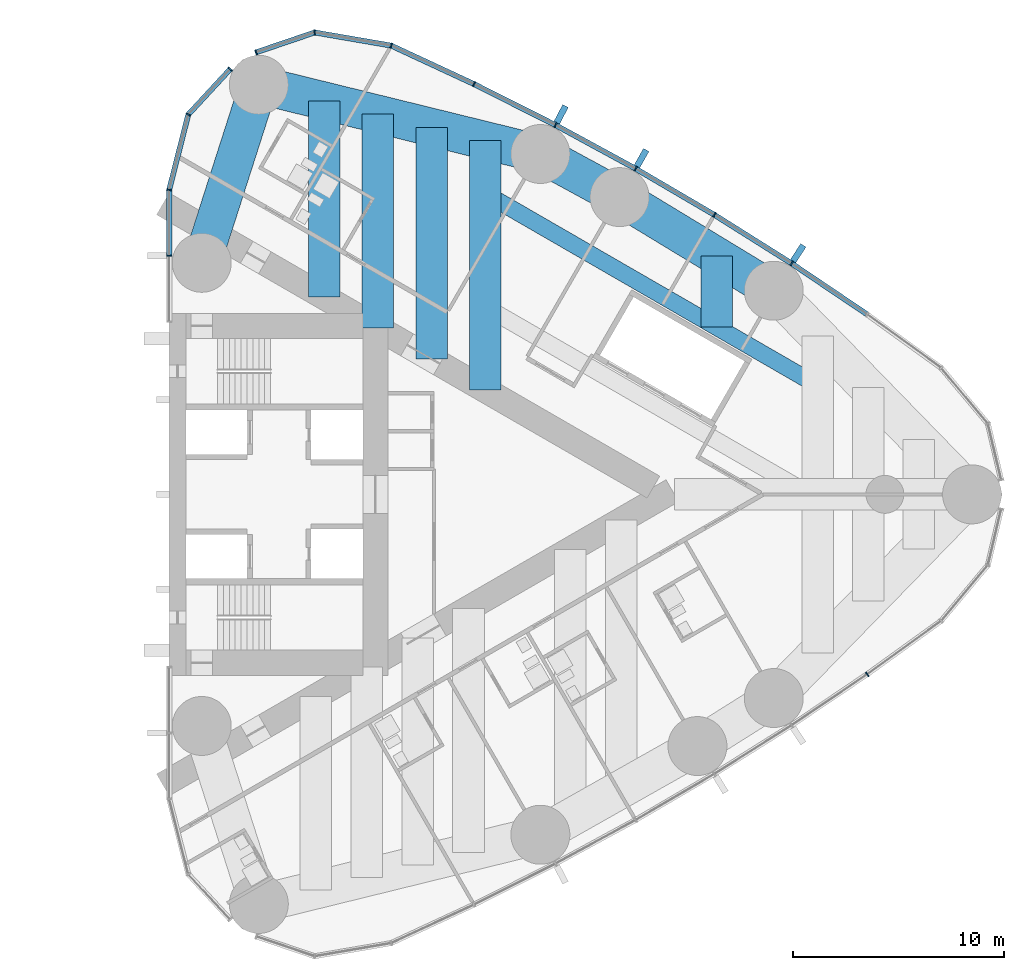
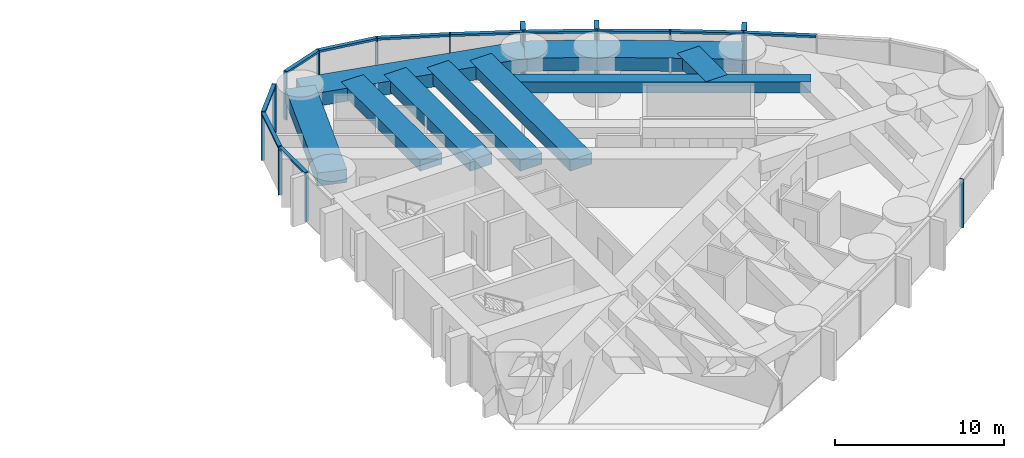
# One storey, part 8 of 19: 27 members, 10 beams, 3 elements without a shape of their own.
"""IFC4 building model written with IfcOpenShell, lengths in metres."""

from ifc_helpers import new_model, si_unit, direction, frame, origin, origin_2d, place, context, subcontext, project, spatial, rectangle, hollow_rectangle, extrude, material, material_profile, profile_set, type_object, element, aggregate, save


model = new_model("IFC4")

# Units and contexts
model_context = context("Model", 3, precision=1e-05, world=origin(), true_north=direction((0.0, 1.0)))
body_context = subcontext(model_context, "Body", "Model", "MODEL_VIEW")
ifc_project = project(units=[si_unit("LENGTHUNIT", "METRE"), si_unit("AREAUNIT", "SQUARE_METRE"), si_unit("VOLUMEUNIT", "CUBIC_METRE"), si_unit("PLANEANGLEUNIT", "RADIAN"), si_unit("MASSUNIT", "GRAM", prefix="KILO")], contexts=[model_context])

# Site, building, storey
site_placement = place(None, origin())
site = spatial("IfcSite", under=ifc_project, at=site_placement, CompositionType="ELEMENT")
building_placement = place(site_placement, origin())
building = spatial("IfcBuilding", under=site, at=building_placement, Name="Lancet Gate Hotel", CompositionType="ELEMENT")
storey_placement = place(building_placement, frame((0.0, 0.0, 194.800048828125)))
storey = spatial("IfcBuildingStorey", under=building, at=storey_placement, Name="L52", CompositionType="ELEMENT", Elevation=194.800048828125)

# Curtain wall, member
ifc_material_1 = material(Name="Aluminium curtain wall", Category="aluminium")
curtain_wall_type = type_object("IfcCurtainWallType", Name="Tower unitised curtain wall", PredefinedType="USERDEFINED", material=ifc_material_1)
curtain_wall_1_placement = place(storey_placement, origin())
curtain_wall_1 = element("IfcCurtainWall", 1, at=curtain_wall_1_placement, inside=storey, type_object=curtain_wall_type, Name="T2 L52 curtain wall 2", ObjectType="UNITISED CURTAIN WALL", PredefinedType="USERDEFINED")
ifc_material_2 = material(Name="Aluminium mullion", Category="aluminium")
ifc_material_profile_1 = material_profile(ifc_material_2, rectangle(XDim=0.06494140625, YDim=0.25, at=origin_2d()), Name="MULLION 65x250")
ifc_profile_set_1 = profile_set([ifc_material_profile_1], Name="Aluminium mullion")
member_type_1 = type_object("IfcMemberType", Name="Aluminium mullion 65x250", PredefinedType="MULLION", material=ifc_profile_set_1)
member_1_placement = place(storey_placement, frame((60.66015625, -8.547607421875, 0.0), z_axis=(0.0, 0.0, 1.0), x_axis=(0.820068208435, 0.572265789222, 0.0)))
member_1 = element("IfcMember", 2, at=member_1_placement, type_object=member_type_1, Name="T2 L52 curtain wall 2 mullion 9", PredefinedType="MULLION", context=body_context, shape_type="SweptSolid", body=[
    extrude(rectangle(XDim=0.06494140625, YDim=0.25, at=origin_2d()), origin(), (0.0, 0.0, 1.0), 3.5),
])
aggregate(curtain_wall_1, [member_1])

# Curtain wall, members
curtain_wall_2_placement = place(storey_placement, origin())
curtain_wall_2 = element("IfcCurtainWall", 3, at=curtain_wall_2_placement, inside=storey, type_object=curtain_wall_type, Name="T2 L52 curtain wall 3", ObjectType="UNITISED CURTAIN WALL", PredefinedType="USERDEFINED")
member_2_placement = place(storey_placement, frame((57.067138671875, 10.970947265625, 0.0), z_axis=(0.0, 0.0, 1.0), x_axis=(-0.837800943278, 0.545975804815, 0.0)))
member_2 = element("IfcMember", 4, at=member_2_placement, type_object=member_type_1, Name="T2 L52 curtain wall 3 mullion 5", PredefinedType="MULLION", context=body_context, shape_type="SweptSolid", body=[
    extrude(rectangle(XDim=0.06494140625, YDim=0.25, at=origin_2d()), origin(), (0.0, 0.0, 1.0), 3.5),
])
member_3_placement = place(storey_placement, frame((53.39892578125, 13.279541015625, 0.0), z_axis=(0.0, 0.0, 1.0), x_axis=(-0.854691174453, 0.519136779965, 0.0)))
member_3 = element("IfcMember", 5, at=member_3_placement, type_object=member_type_1, Name="T2 L52 curtain wall 3 mullion 6", PredefinedType="MULLION", context=body_context, shape_type="SweptSolid", body=[
    extrude(rectangle(XDim=0.06494140625, YDim=0.25, at=origin_2d()), origin(), (0.0, 0.0, 1.0), 3.5),
])
member_4_placement = place(storey_placement, frame((49.65966796875, 15.47021484375, 0.0), z_axis=(0.0, 0.0, 1.0), x_axis=(-0.870721916932, 0.491775704336, 0.0)))
member_4 = element("IfcMember", 6, at=member_4_placement, type_object=member_type_1, Name="T2 L52 curtain wall 3 mullion 7", PredefinedType="MULLION", context=body_context, shape_type="SweptSolid", body=[
    extrude(rectangle(XDim=0.06494140625, YDim=0.25, at=origin_2d()), origin(), (0.0, 0.0, 1.0), 3.5),
])
member_5_placement = place(storey_placement, frame((45.8525390625, 17.54150390625, 0.0), z_axis=(0.0, 0.0, 1.0), x_axis=(-0.885877049989, 0.463920092584, 0.0)))
member_5 = element("IfcMember", 7, at=member_5_placement, type_object=member_type_1, Name="T2 L52 curtain wall 3 mullion 8", PredefinedType="MULLION", context=body_context, shape_type="SweptSolid", body=[
    extrude(rectangle(XDim=0.06494140625, YDim=0.25, at=origin_2d()), origin(), (0.0, 0.0, 1.0), 3.5),
])
member_6_placement = place(storey_placement, frame((41.98193359375, 19.490966796875, 0.0), z_axis=(0.0, 0.0, 1.0), x_axis=(-0.900141333422, 0.435597956681, 0.0)))
member_6 = element("IfcMember", 8, at=member_6_placement, type_object=member_type_1, Name="T2 L52 curtain wall 3 mullion 9", PredefinedType="MULLION", context=body_context, shape_type="SweptSolid", body=[
    extrude(rectangle(XDim=0.06494140625, YDim=0.25, at=origin_2d()), origin(), (0.0, 0.0, 1.0), 3.5),
])
member_7_placement = place(storey_placement, frame((38.05126953125, 21.31689453125, 0.0), z_axis=(0.0, 0.0, 1.0), x_axis=(-0.951355493327, 0.308095318555, 0.0)))
member_7 = element("IfcMember", 9, at=member_7_placement, type_object=member_type_1, Name="T2 L52 curtain wall 3 mullion 10", PredefinedType="MULLION", context=body_context, shape_type="SweptSolid", body=[
    extrude(rectangle(XDim=0.06494140625, YDim=0.25, at=origin_2d()), origin(), (0.0, 0.0, 1.0), 3.5),
])
member_8_placement = place(storey_placement, frame((34.412109375, 21.9423828125, 0.0), z_axis=(0.0, 0.0, 1.0), x_axis=(-0.99877556888, -0.049470829879, 0.0)))
member_8 = element("IfcMember", 10, at=member_8_placement, type_object=member_type_1, Name="T2 L52 curtain wall 3 mullion 11", PredefinedType="MULLION", context=body_context, shape_type="SweptSolid", body=[
    extrude(rectangle(XDim=0.06494140625, YDim=0.25, at=origin_2d()), origin(), (0.0, 0.0, 1.0), 3.5),
])
member_9_placement = place(storey_placement, frame((31.631591796875, 20.998779296875, 0.0), z_axis=(0.0, 0.0, 1.0), x_axis=(-0.946952368511, -0.321373943827, 0.0)))
member_9 = element("IfcMember", 11, at=member_9_placement, type_object=member_type_1, Name="T2 L52 curtain wall 3 mullion 12", PredefinedType="MULLION", context=body_context, shape_type="SweptSolid", body=[
    extrude(rectangle(XDim=0.06494140625, YDim=0.25, at=origin_2d()), origin(), (0.0, 0.0, 1.0), 3.5),
])

curtain_wall_3_placement = place(storey_placement, origin())
curtain_wall_3 = element("IfcCurtainWall", 12, at=curtain_wall_3_placement, inside=storey, type_object=curtain_wall_type, Name="T2 L52 curtain wall 4", ObjectType="UNITISED CURTAIN WALL", PredefinedType="USERDEFINED")
member_10_placement = place(storey_placement, frame((30.40185546875, 20.199951171875, 0.0), z_axis=(0.0, 0.0, 1.0), x_axis=(-0.67883123083, -0.734294327943, 0.0)))
member_10 = element("IfcMember", 13, at=member_10_placement, type_object=member_type_1, Name="T2 L52 curtain wall 4 mullion 1", PredefinedType="MULLION", context=body_context, shape_type="SweptSolid", body=[
    extrude(rectangle(XDim=0.06494140625, YDim=0.25, at=origin_2d()), origin(), (0.0, 0.0, 1.0), 3.5),
])
member_11_placement = place(storey_placement, frame((28.408935546875, 18.04443359375, 0.0), z_axis=(0.0, 0.0, 1.0), x_axis=(-0.451505925065, -0.892268120932, 0.0)))
member_11 = element("IfcMember", 14, at=member_11_placement, type_object=member_type_1, Name="T2 L52 curtain wall 4 mullion 2", PredefinedType="MULLION", context=body_context, shape_type="SweptSolid", body=[
    extrude(rectangle(XDim=0.06494140625, YDim=0.25, at=origin_2d()), origin(), (0.0, 0.0, 1.0), 3.5),
])
member_12_placement = place(storey_placement, frame((27.5, 14.465576171875, 0.0), z_axis=(0.0, 0.0, 1.0), x_axis=(-0.134206524909, -0.990953383703, 0.0)))
member_12 = element("IfcMember", 15, at=member_12_placement, type_object=member_type_1, Name="T2 L52 curtain wall 4 mullion 3", PredefinedType="MULLION", context=body_context, shape_type="SweptSolid", body=[
    extrude(rectangle(XDim=0.06494140625, YDim=0.25, at=origin_2d()), origin(), (0.0, 0.0, 1.0), 3.5),
])
member_13_placement = place(storey_placement, frame((27.5, 11.332763671875, 0.0), z_axis=(0.0, 0.0, 1.0), x_axis=(0.0, -1.0, 0.0)))
member_13 = element("IfcMember", 16, at=member_13_placement, type_object=member_type_1, Name="T2 L52 curtain wall 4 mullion 4", PredefinedType="MULLION", context=body_context, shape_type="SweptSolid", body=[
    extrude(rectangle(XDim=0.06494140625, YDim=0.25, at=origin_2d()), origin(), (0.0, 0.0, 1.0), 3.5),
])

# Member
ifc_material_3 = material(Name="Aluminium transom", Category="aluminium")
ifc_material_profile_2 = material_profile(ifc_material_3, rectangle(XDim=0.25, YDim=0.14990234375, at=origin_2d()), Name="TRANSOM 250x150")
ifc_profile_set_2 = profile_set([ifc_material_profile_2], Name="Aluminium transom")
member_type_2 = type_object("IfcMemberType", Name="Aluminium transom 250x150", PredefinedType="USERDEFINED", material=ifc_profile_set_2)
member_14_placement = place(storey_placement, frame((60.63330078125, 8.565673828125, 3.425048828125), z_axis=(-0.829046850689, 0.559179147826, 0.0), x_axis=(-0.559179147826, -0.829046850689, 0.0)))
member_14 = element("IfcMember", 17, at=member_14_placement, type_object=member_type_2, Name="T2 L52 curtain wall 3 transom 4", ObjectType="TRANSOM", PredefinedType="USERDEFINED", context=body_context, shape_type="SweptSolid", body=[
    extrude(rectangle(XDim=0.25, YDim=0.14990234375, at=origin_2d()), origin(), (0.0, 0.0, 1.0), 4.26904296875),
])

member_15_placement = place(storey_placement, frame((57.03955078125, 10.98828125, 3.425048828125), z_axis=(-0.846333101657, 0.532653997488, 0.0), x_axis=(-0.532653997488, -0.846333101657, 0.0)))
member_15 = element("IfcMember", 18, at=member_15_placement, type_object=member_type_2, Name="T2 L52 curtain wall 3 transom 5", ObjectType="TRANSOM", PredefinedType="USERDEFINED", context=body_context, shape_type="SweptSolid", body=[
    extrude(rectangle(XDim=0.25, YDim=0.14990234375, at=origin_2d()), origin(), (0.0, 0.0, 1.0), 4.26904296875),
])

member_16_placement = place(storey_placement, frame((53.37109375, 13.2958984375, 3.425048828125), z_axis=(-0.862825279032, 0.505502262966, 0.0), x_axis=(-0.505502262966, -0.862825279032, 0.0)))
member_16 = element("IfcMember", 19, at=member_16_placement, type_object=member_type_2, Name="T2 L52 curtain wall 3 transom 6", ObjectType="TRANSOM", PredefinedType="USERDEFINED", context=body_context, shape_type="SweptSolid", body=[
    extrude(rectangle(XDim=0.25, YDim=0.14990234375, at=origin_2d()), origin(), (0.0, 0.0, 1.0), 4.26904296875),
])

member_17_placement = place(storey_placement, frame((49.631103515625, 15.48583984375, 3.425048828125), z_axis=(-0.878404302735, 0.477918278513, 0.0), x_axis=(-0.477918278513, -0.878404302735, 0.0)))
member_17 = element("IfcMember", 20, at=member_17_placement, type_object=member_type_2, Name="T2 L52 curtain wall 3 transom 7", ObjectType="TRANSOM", PredefinedType="USERDEFINED", context=body_context, shape_type="SweptSolid", body=[
    extrude(rectangle(XDim=0.25, YDim=0.14990234375, at=origin_2d()), origin(), (0.0, 0.0, 1.0), 4.26904296875),
])

member_18_placement = place(storey_placement, frame((45.82373046875, 17.55615234375, 3.425048828125), z_axis=(-0.893130969207, 0.449796700571, 0.0), x_axis=(-0.449796700571, -0.893130969207, 0.0)))
member_18 = element("IfcMember", 21, at=member_18_placement, type_object=member_type_2, Name="T2 L52 curtain wall 3 transom 8", ObjectType="TRANSOM", PredefinedType="USERDEFINED", context=body_context, shape_type="SweptSolid", body=[
    extrude(rectangle(XDim=0.25, YDim=0.14990234375, at=origin_2d()), origin(), (0.0, 0.0, 1.0), 4.26904296875),
])

member_19_placement = place(storey_placement, frame((41.952392578125, 19.504638671875, 3.425048828125), z_axis=(-0.906913768492, 0.421316290357, 0.0), x_axis=(-0.421316290357, -0.906913768492, 0.0)))
member_19 = element("IfcMember", 22, at=member_19_placement, type_object=member_type_2, Name="T2 L52 curtain wall 3 transom 9", ObjectType="TRANSOM", PredefinedType="USERDEFINED", context=body_context, shape_type="SweptSolid", body=[
    extrude(rectangle(XDim=0.25, YDim=0.14990234375, at=origin_2d()), origin(), (0.0, 0.0, 1.0), 4.26904296875),
])

member_20_placement = place(storey_placement, frame((38.019287109375, 21.322265625, 3.425048828125), z_axis=(-0.985536950873, 0.169460669373, 0.0), x_axis=(-0.169460669373, -0.985536950873, 0.0)))
member_20 = element("IfcMember", 23, at=member_20_placement, type_object=member_type_2, Name="T2 L52 curtain wall 3 transom 10", ObjectType="TRANSOM", PredefinedType="USERDEFINED", context=body_context, shape_type="SweptSolid", body=[
    extrude(rectangle(XDim=0.25, YDim=0.14990234375, at=origin_2d()), origin(), (0.0, 0.0, 1.0), 3.627685546875),
])

member_21_placement = place(storey_placement, frame((34.38134765625, 21.93212890625, 3.425048828125), z_axis=(-0.946943122832, -0.321401185625, 0.0), x_axis=(0.321401185625, -0.946943122832, 0.0)))
member_21 = element("IfcMember", 24, at=member_21_placement, type_object=member_type_2, Name="T2 L52 curtain wall 3 transom 11", ObjectType="TRANSOM", PredefinedType="USERDEFINED", context=body_context, shape_type="SweptSolid", body=[
    extrude(rectangle(XDim=0.25, YDim=0.14990234375, at=origin_2d()), origin(), (0.0, 0.0, 1.0), 2.871337890625),
])

member_22_placement = place(storey_placement, frame((30.379638671875, 20.17626953125, 3.425048828125), z_axis=(-0.678792146129, -0.734330458549, 0.0), x_axis=(0.734330458549, -0.678792146129, 0.0)))
member_22 = element("IfcMember", 25, at=member_22_placement, type_object=member_type_2, Name="T2 L52 curtain wall 4 transom 1", ObjectType="TRANSOM", PredefinedType="USERDEFINED", context=body_context, shape_type="SweptSolid", body=[
    extrude(rectangle(XDim=0.25, YDim=0.14990234375, at=origin_2d()), origin(), (0.0, 0.0, 1.0), 2.87060546875),
])

member_23_placement = place(storey_placement, frame((28.40087890625, 18.012939453125, 3.425048828125), z_axis=(-0.246128756616, -0.969237140831, 0.0), x_axis=(0.969237140831, -0.246128756616, 0.0)))
member_23 = element("IfcMember", 26, at=member_23_placement, type_object=member_type_2, Name="T2 L52 curtain wall 4 transom 2", ObjectType="TRANSOM", PredefinedType="USERDEFINED", context=body_context, shape_type="SweptSolid", body=[
    extrude(rectangle(XDim=0.25, YDim=0.14990234375, at=origin_2d()), origin(), (0.0, 0.0, 1.0), 3.62744140625),
])

member_24_placement = place(storey_placement, frame((27.5, 14.43310546875, 3.425048828125), z_axis=(0.0, -1.0, 0.0), x_axis=(1.0, 0.0, 0.0)))
member_24 = element("IfcMember", 27, at=member_24_placement, type_object=member_type_2, Name="T2 L52 curtain wall 4 transom 3", ObjectType="TRANSOM", PredefinedType="USERDEFINED", context=body_context, shape_type="SweptSolid", body=[
    extrude(rectangle(XDim=0.25, YDim=0.14990234375, at=origin_2d()), origin(), (0.0, 0.0, 1.0), 3.06787109375),
])

aggregate(curtain_wall_3, [member_10, member_11, member_12, member_13, member_22, member_23, member_24])

# Beams
ifc_material_4 = material(Name="Concrete C50/60", Category="concrete")
ifc_material_profile_3 = material_profile(ifc_material_4, rectangle(XDim=1.800048828125, YDim=0.949951171875, at=origin_2d()), Name="RC 1800x950")
ifc_profile_set_3 = profile_set([ifc_material_profile_3], Name="Concrete C50/60")
beam_type_1 = type_object("IfcBeamType", Name="Edge beam RC 1800x950", PredefinedType="SPANDREL", material=ifc_profile_set_3)
beam_1_placement = place(storey_placement, frame((56.220947265625, 9.67236328125, 2.77490234375), z_axis=(-0.854692251129, 0.519135007353, 0.0), x_axis=(-0.519135007353, -0.854692251129, 0.0)))
element("IfcBeam", 28, at=beam_1_placement, inside=storey, type_object=beam_type_1, Name="T2 edge beam EB1 L52", PredefinedType="SPANDREL", context=body_context, shape_type="SweptSolid", body=[
    extrude(rectangle(XDim=1.800048828125, YDim=0.949951171875, at=origin_2d()), origin(), (0.0, 0.0, 1.0), 8.568603515625),
])
beam_2_placement = place(storey_placement, frame((48.8974609375, 14.12060546875, 2.77490234375), z_axis=(-0.878404597051, 0.477917737566, 0.0), x_axis=(-0.477917737566, -0.878404597051, 0.0)))
element("IfcBeam", 29, at=beam_2_placement, inside=storey, type_object=beam_type_1, Name="T2 edge beam EB1 L52", PredefinedType="SPANDREL", context=body_context, shape_type="SweptSolid", body=[
    extrude(rectangle(XDim=1.800048828125, YDim=0.949951171875, at=origin_2d()), origin(), (0.0, 0.0, 1.0), 4.284912109375),
])
beam_3_placement = place(storey_placement, frame((45.133544921875, 16.16845703125, 2.77490234375), z_axis=(-0.971093253227, 0.238700426344, 0.0), x_axis=(-0.238700426344, -0.971093253227, 0.0)))
element("IfcBeam", 30, at=beam_3_placement, inside=storey, type_object=beam_type_1, Name="T2 edge beam EB1 L52", PredefinedType="SPANDREL", context=body_context, shape_type="SweptSolid", body=[
    extrude(rectangle(XDim=1.800048828125, YDim=0.949951171875, at=origin_2d()), origin(), (0.0, 0.0, 1.0), 13.77197265625),
])
beam_4_placement = place(storey_placement, frame((29.050048828125, 11.0, 2.77490234375), z_axis=(0.305169772986, 0.952297962644, 0.0), x_axis=(-0.952297962644, 0.305169772986, 0.0)))
element("IfcBeam", 31, at=beam_4_placement, inside=storey, type_object=beam_type_1, Name="T2 edge beam EB1 L52", PredefinedType="SPANDREL", context=body_context, shape_type="SweptSolid", body=[
    extrude(rectangle(XDim=1.800048828125, YDim=0.949951171875, at=origin_2d()), origin(), (0.0, 0.0, 1.0), 8.87939453125),
])

# Member
ifc_material_5 = material(Name="Precast concrete C50/60", Category="concrete")
ifc_material_profile_4 = material_profile(ifc_material_5, rectangle(XDim=0.300048828125, YDim=0.89990234375, at=origin_2d()), Name="FIN 300x900")
ifc_profile_set_4 = profile_set([ifc_material_profile_4], Name="Precast concrete C50/60")
member_type_3 = type_object("IfcMemberType", Name="Exposed concrete fin 300x900", PredefinedType="USERDEFINED", material=ifc_profile_set_4)
member_25_placement = place(storey_placement, frame((57.381103515625, 11.452880859375, 0.0), z_axis=(0.0, 0.0, 1.0), x_axis=(-0.837800943278, 0.545975804815, 0.0)))
member_25 = element("IfcMember", 32, at=member_25_placement, type_object=member_type_3, Name="T2 L52 curtain wall 3 fin 5", ObjectType="FIN", PredefinedType="USERDEFINED", context=body_context, shape_type="SweptSolid", body=[
    extrude(rectangle(XDim=0.300048828125, YDim=0.89990234375, at=origin_2d()), origin(), (0.0, 0.0, 1.0), 3.5),
])

member_26_placement = place(storey_placement, frame((49.9423828125, 15.970947265625, 0.0), z_axis=(0.0, 0.0, 1.0), x_axis=(-0.870721916932, 0.491775704336, 0.0)))
member_26 = element("IfcMember", 33, at=member_26_placement, type_object=member_type_3, Name="T2 L52 curtain wall 3 fin 7", ObjectType="FIN", PredefinedType="USERDEFINED", context=body_context, shape_type="SweptSolid", body=[
    extrude(rectangle(XDim=0.300048828125, YDim=0.89990234375, at=origin_2d()), origin(), (0.0, 0.0, 1.0), 3.5),
])

member_27_placement = place(storey_placement, frame((46.119384765625, 18.051025390625, 0.0), z_axis=(0.0, 0.0, 1.0), x_axis=(-0.885877049989, 0.463920092584, 0.0)))
member_27 = element("IfcMember", 34, at=member_27_placement, type_object=member_type_3, Name="T2 L52 curtain wall 3 fin 8", ObjectType="FIN", PredefinedType="USERDEFINED", context=body_context, shape_type="SweptSolid", body=[
    extrude(rectangle(XDim=0.300048828125, YDim=0.89990234375, at=origin_2d()), origin(), (0.0, 0.0, 1.0), 3.5),
])

aggregate(curtain_wall_2, [member_2, member_25, member_3, member_4, member_26, member_5, member_27, member_6, member_7, member_8, member_9, member_14, member_15, member_16, member_17, member_18, member_19, member_20, member_21])

# Beams
ifc_material_6 = material(Name="Concrete C50/60", Category="concrete")
ifc_material_profile_5 = material_profile(ifc_material_6, rectangle(XDim=1.5, YDim=0.800048828125, at=origin_2d()), Name="RC 1500x800")
ifc_profile_set_5 = profile_set([ifc_material_profile_5], Name="Concrete C50/60")
beam_type_2 = type_object("IfcBeamType", Name="Floor beam RC 1500x800", PredefinedType="BEAM", material=ifc_profile_set_5)
beam_5_placement = place(storey_placement, frame((34.859619140625, 9.377685546875, 2.849853515625), z_axis=(0.0, 1.0, 0.0), x_axis=(-1.0, 0.0, 0.0)))
element("IfcBeam", 35, at=beam_5_placement, inside=storey, type_object=beam_type_2, Name="T2 floor beam F02N L52", PredefinedType="BEAM", context=body_context, shape_type="SweptSolid", body=[
    extrude(rectangle(XDim=1.5, YDim=0.800048828125, at=origin_2d()), origin(), (0.0, 0.0, 1.0), 9.316162109375),
])
beam_6_placement = place(storey_placement, frame((37.412841796875, 7.903564453125, 2.849853515625), z_axis=(0.0, 1.0, 0.0), x_axis=(-1.0, 0.0, 0.0)))
element("IfcBeam", 36, at=beam_6_placement, inside=storey, type_object=beam_type_2, Name="T2 floor beam F04N L52", PredefinedType="BEAM", context=body_context, shape_type="SweptSolid", body=[
    extrude(rectangle(XDim=1.5, YDim=0.800048828125, at=origin_2d()), origin(), (0.0, 0.0, 1.0), 10.16259765625),
])
beam_7_placement = place(storey_placement, frame((39.9658203125, 6.429443359375, 2.849853515625), z_axis=(0.0, 1.0, 0.0), x_axis=(-1.0, 0.0, 0.0)))
element("IfcBeam", 37, at=beam_7_placement, inside=storey, type_object=beam_type_2, Name="T2 floor beam F06N L52", PredefinedType="BEAM", context=body_context, shape_type="SweptSolid", body=[
    extrude(rectangle(XDim=1.5, YDim=0.800048828125, at=origin_2d()), origin(), (0.0, 0.0, 1.0), 11.00927734375),
])
beam_8_placement = place(storey_placement, frame((42.51904296875, 4.95556640625, 2.849853515625), z_axis=(0.0, 1.0, 0.0), x_axis=(-1.0, 0.0, 0.0)))
element("IfcBeam", 38, at=beam_8_placement, inside=storey, type_object=beam_type_2, Name="T2 floor beam F08N L52", PredefinedType="BEAM", context=body_context, shape_type="SweptSolid", body=[
    extrude(rectangle(XDim=1.5, YDim=0.800048828125, at=origin_2d()), origin(), (0.0, 0.0, 1.0), 11.85546875),
])
beam_9_placement = place(storey_placement, frame((53.502197265625, 7.94775390625, 2.849853515625), z_axis=(0.0, 1.0, 0.0), x_axis=(-1.0, 0.0, 0.0)))
element("IfcBeam", 39, at=beam_9_placement, inside=storey, type_object=beam_type_2, Name="T2 floor beam F11NB L52", PredefinedType="BEAM", context=body_context, shape_type="SweptSolid", body=[
    extrude(rectangle(XDim=1.5, YDim=0.800048828125, at=origin_2d()), origin(), (0.0, 0.0, 1.0), 3.3759765625),
])
ifc_material_7 = material(Name="Steel S460QL", Category="steel")
ifc_material_profile_6 = material_profile(ifc_material_7, hollow_rectangle(XDim=0.800048828125, YDim=0.800048828125, WallThickness=0.080078125, at=origin_2d()), Name="BOX 800x800x80")
ifc_profile_set_6 = profile_set([ifc_material_profile_6], Name="Steel S460QL")
beam_type_3 = type_object("IfcBeamType", Name="Trimmer beam BOX 800x800x80", PredefinedType="BEAM", material=ifc_profile_set_6)
beam_10_placement = place(storey_placement, frame((42.51904296875, 14.289794921875, 2.849853515625), z_axis=(0.865993732867, -0.500054851626, 0.0), x_axis=(0.500054851626, 0.865993732867, 0.0)))
element("IfcBeam", 40, at=beam_10_placement, inside=storey, type_object=beam_type_3, Name="T2 trimmer beam TR01N L52", PredefinedType="BEAM", context=body_context, shape_type="SweptSolid", body=[
    extrude(hollow_rectangle(XDim=0.800048828125, YDim=0.800048828125, WallThickness=0.080078125, at=origin_2d()), origin(), (0.0, 0.0, 1.0), 18.2255859375),
])

save(model, "model.ifc")
